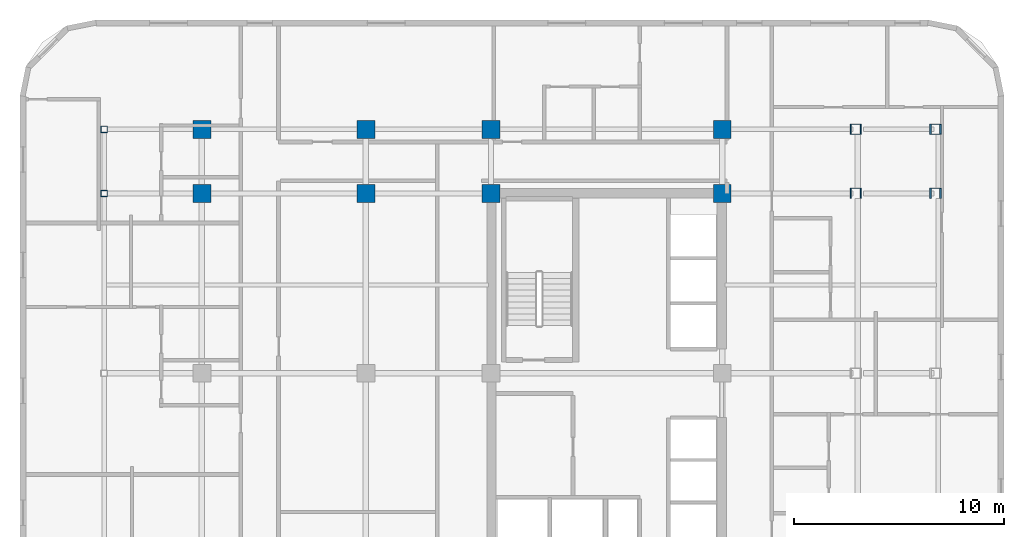
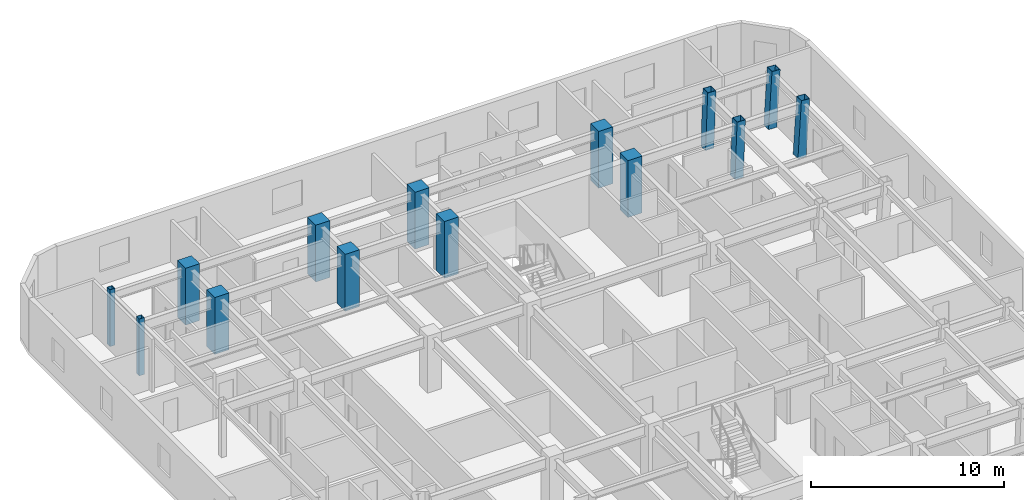
# One storey, part 3 of 12: 14 columns.
"""IFC4 building model written with IfcOpenShell, lengths in metres."""

import ifcopenshell
import ifcopenshell.guid

model = None  # the IFC model being written
_history = None  # IfcOwnerHistory: only IFC2X3 demands one
_inside = {}  # id of a spatial element -> (the spatial element, [elements in it])
_under = {}  # id of a project, library or spatial element -> (it, [spatial elements below it])
_declared = {}  # id of a project -> (the project, [libraries it declares])
_typed = {}  # id of a type object -> (the type object, [elements of that type])
_made_of = {}  # id of a material, layer set ... -> (it, [elements and type objects made of it])


def new_model(schema):
    """Start an empty IFC model of exactly this schema.

    Asked for "IFC4X3", IfcOpenShell would pick the latest addendum, in which some entities
    have other attributes; the version numbers below select the first issue.
    IFC2X3 requires an IfcOwnerHistory on every rooted entity: one is made here for all.
    """
    global model, _history
    if schema == "IFC4X3":
        model = ifcopenshell.file(schema_version=(4, 3, 0, 0))
    else:
        model = ifcopenshell.file(schema=schema)
    _inside.clear()
    _under.clear()
    _declared.clear()
    _typed.clear()
    _made_of.clear()
    _history = None
    if model.schema == "IFC2X3":
        org = make("IfcOrganization", Name="unknown")
        user = make(
            "IfcPersonAndOrganization",
            ThePerson=make("IfcPerson", FamilyName="unknown"),
            TheOrganization=org,
        )
        app = make(
            "IfcApplication",
            ApplicationDeveloper=org,
            Version="unknown",
            ApplicationFullName="unknown",
            ApplicationIdentifier="unknown",
        )
        _history = make(
            "IfcOwnerHistory",
            OwningUser=user,
            OwningApplication=app,
            ChangeAction="ADDED",
            CreationDate=0,
        )
    return model


def make(cls, **values):
    """One entity of the class cls with the attributes given. An attribute that is None is left unset."""
    return model.create_entity(
        cls, **{name: value for name, value in values.items() if value is not None}
    )


def rooted(cls, **values):
    """An entity with a GlobalId (a new one), such as an element, a storey or a relation."""
    return make(cls, GlobalId=ifcopenshell.guid.new(), OwnerHistory=_history, **values)


def si_unit(unit_type, name, prefix=None):
    """IfcSIUnit, for example si_unit("LENGTHUNIT", "METRE", prefix="MILLI")."""
    return make("IfcSIUnit", UnitType=unit_type, Prefix=prefix, Name=name)


def assignment(units):
    """IfcUnitAssignment: the units of a project."""
    return None if units is None else make("IfcUnitAssignment", Units=units)


def point(xyz):
    """IfcCartesianPoint."""
    return None if xyz is None else make("IfcCartesianPoint", Coordinates=xyz)


def direction(xyz):
    """IfcDirection."""
    return None if xyz is None else make("IfcDirection", DirectionRatios=xyz)


def frame(location, z_axis=None, x_axis=None):
    """IfcAxis2Placement3D, a coordinate frame: its origin and axes. An axis left out is left unset."""
    return make(
        "IfcAxis2Placement3D",
        Location=point(location),
        Axis=direction(z_axis),
        RefDirection=direction(x_axis),
    )


def frame_2d(location, x_axis=None):
    """IfcAxis2Placement2D, a coordinate frame in the plane: its origin and x axis."""
    return make(
        "IfcAxis2Placement2D", Location=point(location), RefDirection=direction(x_axis)
    )


def origin():
    """The frame at (0, 0, 0) with its axes left unset."""
    return frame((0.0, 0.0, 0.0))


def origin_2d():
    """The frame at (0, 0) in the plane with its x axis left unset."""
    return frame_2d((0.0, 0.0))


def place(relative_to, where):
    """IfcLocalPlacement: puts the frame where relative to a parent placement (None: the world)."""
    return make(
        "IfcLocalPlacement", PlacementRelTo=relative_to, RelativePlacement=where
    )


def context(
    kind, dimensions, precision=None, world=None, true_north=None, identifier=None
):
    """IfcGeometricRepresentationContext, for example the 3D "Model" context."""
    return make(
        "IfcGeometricRepresentationContext",
        ContextIdentifier=identifier,
        ContextType=kind,
        CoordinateSpaceDimension=dimensions,
        Precision=precision,
        WorldCoordinateSystem=world,
        TrueNorth=true_north,
    )


def subcontext(parent, identifier, kind, view, scale=None):
    """IfcGeometricRepresentationSubContext, for example "Body" below "Model"."""
    return make(
        "IfcGeometricRepresentationSubContext",
        ContextIdentifier=identifier,
        ContextType=kind,
        ParentContext=parent,
        TargetScale=scale,
        TargetView=view,
    )


def project(units=None, contexts=None):
    """IfcProject with its units and contexts."""
    return rooted(
        "IfcProject",
        Name="project",
        RepresentationContexts=contexts,
        UnitsInContext=assignment(units),
    )


def spatial(cls, under=None, at=None, **own):
    """A site, building, storey or space (cls), placed at a placement, below another one or the project."""
    s = rooted(cls, ObjectPlacement=at, **own)
    if under is not None:
        _under.setdefault(under.id(), (under, []))[1].append(s)
    return s


def profile(cls, at=None, kind="AREA", **sizes):
    """A parametric profile (cls). Its sizes go by their IFC names, for example OverallWidth=200.0."""
    return make(cls, ProfileType=kind, Position=at, **sizes)


def rectangle(**sizes):
    """IfcRectangleProfileDef."""
    return profile("IfcRectangleProfileDef", **sizes)


def hollow_rectangle(**sizes):
    """IfcRectangleHollowProfileDef."""
    return profile("IfcRectangleHollowProfileDef", **sizes)


def extrude(swept, where, along, depth):
    """IfcExtrudedAreaSolid: the profile swept, set in the frame where, extruded along a direction by depth."""
    return make(
        "IfcExtrudedAreaSolid",
        SweptArea=swept,
        Position=where,
        ExtrudedDirection=direction(along),
        Depth=depth,
    )


def shape(context_of_items, identifier, shape_type, items):
    """IfcShapeRepresentation: the items that make up one representation, for example the "Body"."""
    return make(
        "IfcShapeRepresentation",
        ContextOfItems=context_of_items,
        RepresentationIdentifier=identifier,
        RepresentationType=shape_type,
        Items=items,
    )


def material(Name=None, Category=None):
    """IfcMaterial."""
    return make("IfcMaterial", Name=Name, Category=Category)


def material_profile(
    of_material, cross_section, Name=None, Category=None, Priority=None
):
    """IfcMaterialProfile: a cross section and its material."""
    return make(
        "IfcMaterialProfile",
        Name=Name,
        Material=of_material,
        Profile=cross_section,
        Priority=Priority,
        Category=Category,
    )


def profile_set(profiles, Name=None, composite=None):
    """IfcMaterialProfileSet."""
    return make(
        "IfcMaterialProfileSet",
        Name=Name,
        MaterialProfiles=profiles,
        CompositeProfile=composite,
    )


def made_of(thing, what):
    """Note that an element or type object is made of a material, layer set ...; save() writes the relation."""
    if what is not None:
        _made_of.setdefault(what.id(), (what, []))[1].append(thing)
    return thing


def type_object(cls, material=None, **own):
    """A type object (cls), such as IfcWallType, which elements share."""
    return made_of(rooted(cls, **own), material)


def element(
    cls,
    number,
    at=None,
    inside=None,
    cuts=None,
    type_object=None,
    material=None,
    context=None,
    identifier="Body",
    shape_type=None,
    held_by="IfcProductDefinitionShape",
    body=None,
    shapes=None,
    **own,
):
    """One element of the class cls, such as IfcWall. Its Tag is "e" and its number.

    at: its placement. inside: the storey or other place that contains it. cuts: it is an
    opening in that element (IfcRelVoidsElement). A single representation is given by context,
    identifier, shape_type and body (its items); several are given by shapes. held_by: the class
    of the entity that holds the representations. save() writes the other relations.
    """
    e = rooted(cls, Tag="e%d" % number, ObjectPlacement=at, **own)
    if body is not None:
        shapes = [shape(context, identifier, shape_type, body)]
    if shapes is not None:
        e.Representation = make(held_by, Representations=shapes)
    if inside is not None:
        _inside.setdefault(inside.id(), (inside, []))[1].append(e)
    if cuts is not None:
        rooted(
            "IfcRelVoidsElement", RelatingBuildingElement=cuts, RelatedOpeningElement=e
        )
    if type_object is not None:
        _typed.setdefault(type_object.id(), (type_object, []))[1].append(e)
    return made_of(e, material)


def aggregate(whole, parts):
    """IfcRelAggregates: a whole, such as a stair, and the parts it consists of."""
    return rooted("IfcRelAggregates", RelatingObject=whole, RelatedObjects=parts)


def save(model, path):
    """Write the relations noted so far, then the file.

    IfcRelAggregates (storeys below a building ...), IfcRelContainedInSpatialStructure (elements
    in a storey), IfcRelDefinesByType, IfcRelAssociatesMaterial and IfcRelDeclares: one each for
    every whole, place, type object, material and project.
    """
    for whole, parts in _under.values():
        aggregate(whole, parts)
    for where, things in _inside.values():
        rooted(
            "IfcRelContainedInSpatialStructure",
            RelatedElements=things,
            RelatingStructure=where,
        )
    for kind, things in _typed.values():
        rooted("IfcRelDefinesByType", RelatedObjects=things, RelatingType=kind)
    for what, things in _made_of.values():
        rooted("IfcRelAssociatesMaterial", RelatedObjects=things, RelatingMaterial=what)
    for by, libraries in _declared.values():
        rooted("IfcRelDeclares", RelatingContext=by, RelatedDefinitions=libraries)
    model.write(path)


model = new_model("IFC4")

# Units and contexts
model_context = context("Model", 3, precision=1e-05, world=origin(), true_north=direction((0.0, 1.0)))
body_context = subcontext(model_context, "Body", "Model", "MODEL_VIEW")
ifc_project = project(units=[si_unit("LENGTHUNIT", "METRE"), si_unit("AREAUNIT", "SQUARE_METRE"), si_unit("VOLUMEUNIT", "CUBIC_METRE"), si_unit("PLANEANGLEUNIT", "RADIAN"), si_unit("MASSUNIT", "GRAM", prefix="KILO")], contexts=[model_context])

# Site, building, storey
site_placement = place(None, origin())
site = spatial("IfcSite", under=ifc_project, at=site_placement, CompositionType="ELEMENT")
building_placement = place(site_placement, origin())
building = spatial("IfcBuilding", under=site, at=building_placement, Name="Ochreholt Gables", CompositionType="ELEMENT")
storey_placement = place(building_placement, frame((0.0, 0.0, 45.60009765625)))
storey = spatial("IfcBuildingStorey", under=building, at=storey_placement, Name="L11", CompositionType="ELEMENT", Elevation=45.60009765625)

# Columns
ifc_material_1 = material(Name="Steel CSA G40.21 350W", Category="steel")
ifc_material_profile_1 = material_profile(ifc_material_1, hollow_rectangle(XDim=0.304931640625, YDim=0.304931640625, WallThickness=0.0126953125, at=origin_2d()), Name="HSS305X305X13")
ifc_profile_set_1 = profile_set([ifc_material_profile_1], Name="Steel CSA G40.21 350W")
column_type_1 = type_object("IfcColumnType", Name="COL-HSS305-EXT", PredefinedType="COLUMN", material=ifc_profile_set_1)
for number, where, z_axis, x_axis, name in (
    (1, (5.800048828125, 38.75, 0.0), (0.0, 0.0, 1.0), (1.0, 0.0, 0.0), "L11 Column WTY5"),
    (2, (5.800048828125, 41.800048828125, 0.0), (0.0, 0.0, 1.0), (1.0, 0.0, 0.0), "L11 Column WTY6"),
):
    element("IfcColumn", number, at=place(storey_placement, frame(where, z_axis=z_axis, x_axis=x_axis)), inside=storey, type_object=column_type_1, Name=name, PredefinedType="COLUMN", context=body_context, shape_type="SweptSolid", body=[
        extrude(hollow_rectangle(XDim=0.304931640625, YDim=0.304931640625, WallThickness=0.0126953125, at=origin_2d()), origin(), (0.0, 0.0, 1.0), 3.599853515625),
    ])
ifc_material_profile_2 = material_profile(ifc_material_1, hollow_rectangle(XDim=0.5, YDim=0.5, WallThickness=0.02197265625, at=origin_2d()), Name="HSS500X500X22")
ifc_profile_set_2 = profile_set([ifc_material_profile_2], Name="Steel CSA G40.21 350W")
column_type_2 = type_object("IfcColumnType", Name="COL-HSS500-RAK", PredefinedType="COLUMN", material=ifc_profile_set_2)
column_1_placement = place(storey_placement, frame((41.531982421875, 38.75, 0.0), z_axis=(0.034973505036, 0.0, 0.999388239847), x_axis=(0.0, 1.0, 0.0)))
element("IfcColumn", 3, at=column_1_placement, inside=storey, type_object=column_type_2, Name="L11 Column EMY5", PredefinedType="COLUMN", context=body_context, shape_type="SweptSolid", body=[
    extrude(hollow_rectangle(XDim=0.5, YDim=0.5, WallThickness=0.02197265625, at=origin_2d()), origin(), (0.0, 0.0, 1.0), 3.60205078125),
])
ifc_material_profile_3 = material_profile(ifc_material_1, hollow_rectangle(XDim=0.5, YDim=0.5, WallThickness=0.02197265625, at=origin_2d()), Name="HSS500X500X22")
ifc_profile_set_3 = profile_set([ifc_material_profile_3], Name="Steel CSA G40.21 350W")
column_type_3 = type_object("IfcColumnType", Name="COL-HSS500-RAKE", PredefinedType="COLUMN", material=ifc_profile_set_3)
column_2_placement = place(storey_placement, frame((41.531982421875, 41.800048828125, 0.0), z_axis=(0.034973505036, 0.0, 0.999388239847), x_axis=(0.0, 1.0, 0.0)))
element("IfcColumn", 4, at=column_2_placement, inside=storey, type_object=column_type_3, Name="L11 Column EMY6", PredefinedType="COLUMN", context=body_context, shape_type="SweptSolid", body=[
    extrude(hollow_rectangle(XDim=0.5, YDim=0.5, WallThickness=0.02197265625, at=origin_2d()), origin(), (0.0, 0.0, 1.0), 3.60205078125),
])
for number, where, z_axis, x_axis, name in (
    (5, (45.301513671875, 38.75, 0.0), (0.057955997462, 0.0, 0.998319138531), (0.0, 1.0, 0.0), "L11 Column EEY5"),
    (6, (45.301513671875, 41.800048828125, 0.0), (0.057955997462, 0.0, 0.998319138531), (0.0, 1.0, 0.0), "L11 Column EEY6"),
):
    element("IfcColumn", number, at=place(storey_placement, frame(where, z_axis=z_axis, x_axis=x_axis)), inside=storey, type_object=column_type_3, Name=name, PredefinedType="COLUMN", context=body_context, shape_type="SweptSolid", body=[
        extrude(hollow_rectangle(XDim=0.5, YDim=0.5, WallThickness=0.02197265625, at=origin_2d()), origin(), (0.0, 0.0, 1.0), 3.60595703125),
    ])
ifc_material_2 = material(Name="Concrete 60 MPa", Category="concrete")
ifc_material_profile_4 = material_profile(ifc_material_2, rectangle(XDim=0.85009765625, YDim=0.85009765625, at=origin_2d()), Name="RC850X850")
ifc_profile_set_4 = profile_set([ifc_material_profile_4], Name="Concrete 60 MPa")
column_type_4 = type_object("IfcColumnType", Name="COL-RC850-EXT", PredefinedType="COLUMN", material=ifc_profile_set_4)
for number, where, z_axis, x_axis, name in (
    (7, (10.449951171875, 41.800048828125, 0.0), (0.0, 0.0, 1.0), (1.0, 0.0, 0.0), "L11 Column W2Y6"),
    (8, (18.25, 41.800048828125, 0.0), (0.0, 0.0, 1.0), (1.0, 0.0, 0.0), "L11 Column W3Y6"),
    (9, (24.199951171875, 41.800048828125, 0.0), (0.0, 0.0, 1.0), (1.0, 0.0, 0.0), "L11 Column C1Y6"),
    (10, (35.199951171875, 41.800048828125, 0.0), (0.0, 0.0, 1.0), (1.0, 0.0, 0.0), "L11 Column C2Y6"),
):
    element("IfcColumn", number, at=place(storey_placement, frame(where, z_axis=z_axis, x_axis=x_axis)), inside=storey, type_object=column_type_4, Name=name, PredefinedType="COLUMN", context=body_context, shape_type="SweptSolid", body=[
        extrude(rectangle(XDim=0.85009765625, YDim=0.85009765625, at=origin_2d()), origin(), (0.0, 0.0, 1.0), 3.599853515625),
    ])
ifc_material_profile_5 = material_profile(ifc_material_2, rectangle(XDim=0.85009765625, YDim=0.85009765625, at=origin_2d()), Name="RC850X850")
ifc_profile_set_5 = profile_set([ifc_material_profile_5], Name="Concrete 60 MPa")
column_type_5 = type_object("IfcColumnType", Name="COL-RC850-INT", PredefinedType="COLUMN", material=ifc_profile_set_5)
for number, where, z_axis, x_axis, name in (
    (11, (10.449951171875, 38.75, 0.0), (0.0, 0.0, 1.0), (1.0, 0.0, 0.0), "L11 Column W2Y5"),
    (12, (18.25, 38.75, 0.0), (0.0, 0.0, 1.0), (1.0, 0.0, 0.0), "L11 Column W3Y5"),
    (13, (24.199951171875, 38.75, 0.0), (0.0, 0.0, 1.0), (1.0, 0.0, 0.0), "L11 Column C1Y5"),
    (14, (35.199951171875, 38.75, 0.0), (0.0, 0.0, 1.0), (1.0, 0.0, 0.0), "L11 Column C2Y5"),
):
    element("IfcColumn", number, at=place(storey_placement, frame(where, z_axis=z_axis, x_axis=x_axis)), inside=storey, type_object=column_type_5, Name=name, PredefinedType="COLUMN", context=body_context, shape_type="SweptSolid", body=[
        extrude(rectangle(XDim=0.85009765625, YDim=0.85009765625, at=origin_2d()), origin(), (0.0, 0.0, 1.0), 3.599853515625),
    ])

save(model, "model.ifc")
